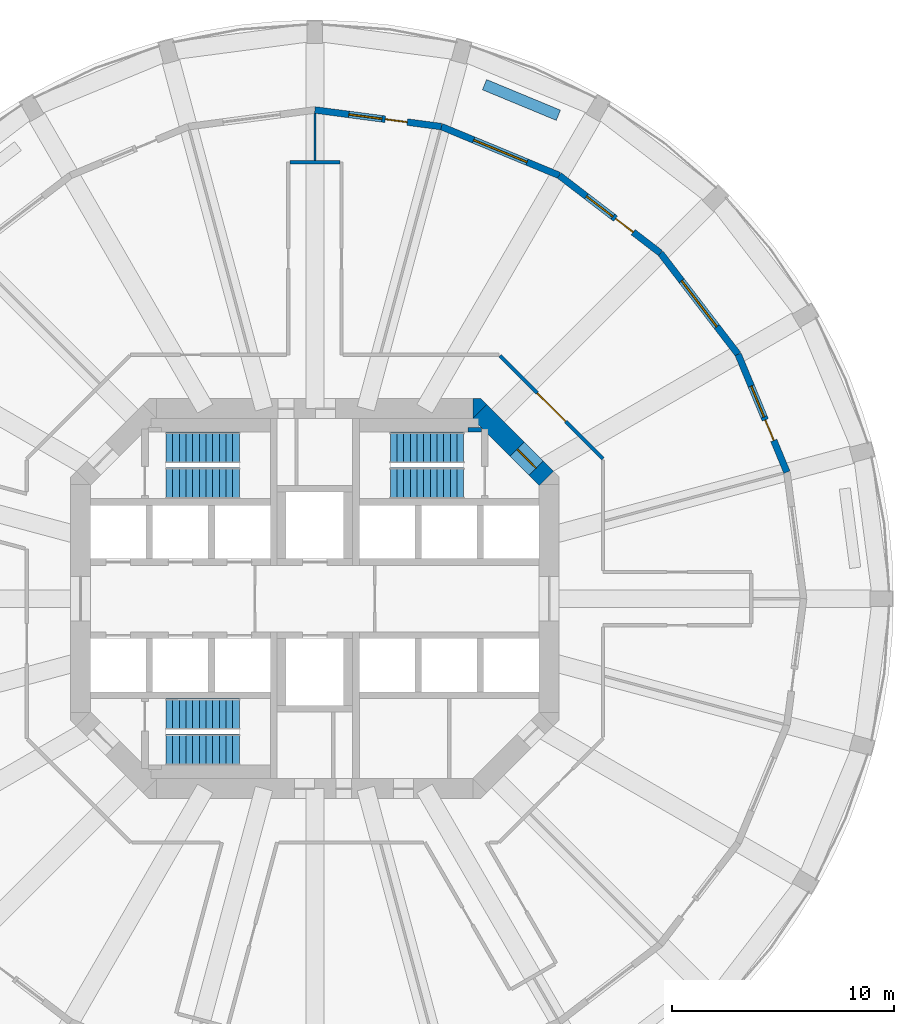
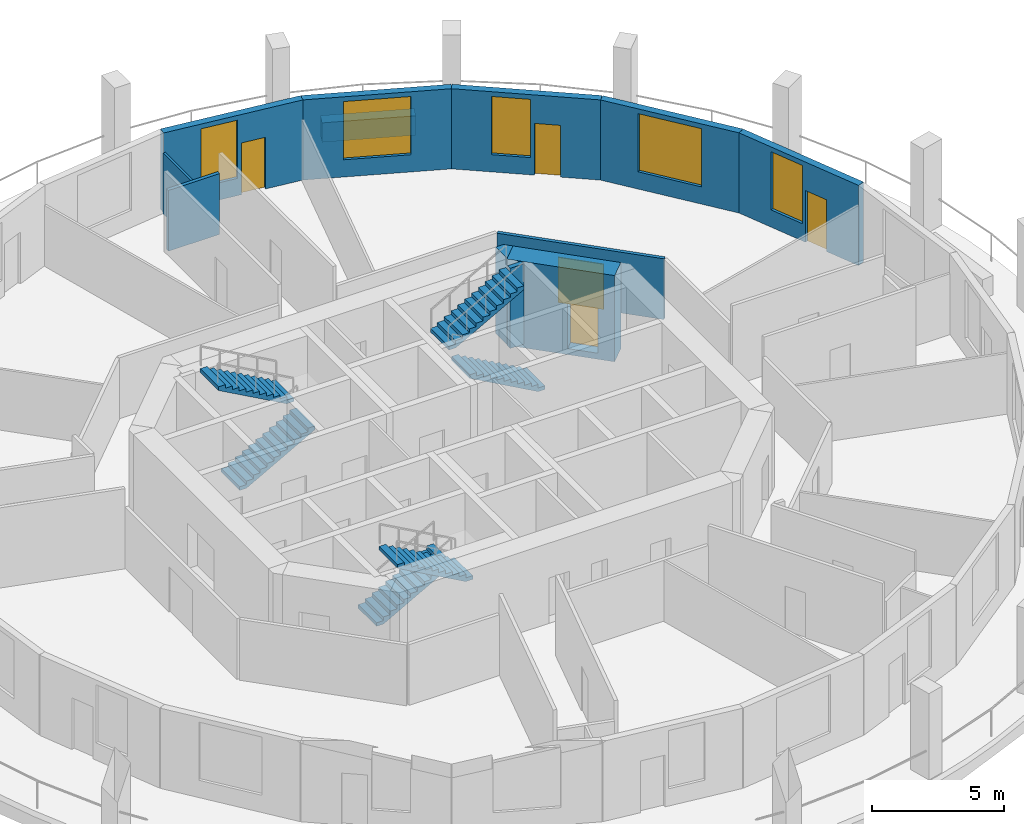
# One storey, part 6 of 8: 12 walls, 6 stair flights, 5 doors, 5 windows, 10 openings, 3 elements without a shape of their own.
"""IFC4 building model written with IfcOpenShell, lengths in metres."""

from ifc_helpers import new_model, si_unit, direction, frame, frame_2d, origin, place, context, subcontext, project, spatial, polyline, rectangle, outline, extrude, material, layer, layer_set, type_object, element, fill, aggregate, save


model = new_model("IFC4")

# Units and contexts
model_context = context("Model", 3, precision=1e-05, world=origin(), true_north=direction((0.0, 1.0)))
body_context = subcontext(model_context, "Body", "Model", "MODEL_VIEW")
ifc_project = project(units=[si_unit("LENGTHUNIT", "METRE"), si_unit("AREAUNIT", "SQUARE_METRE"), si_unit("VOLUMEUNIT", "CUBIC_METRE"), si_unit("PLANEANGLEUNIT", "RADIAN"), si_unit("MASSUNIT", "GRAM", prefix="KILO")], contexts=[model_context])

# Site, building, storey
site_placement = place(None, origin())
site = spatial("IfcSite", under=ifc_project, at=site_placement, CompositionType="ELEMENT")
building_placement = place(site_placement, origin())
building = spatial("IfcBuilding", under=site, at=building_placement, Name="Torre Triforio", CompositionType="ELEMENT")
storey_placement = place(building_placement, frame((0.0, 0.0, 90.60009765625)))
storey = spatial("IfcBuildingStorey", under=building, at=storey_placement, Name="L19", CompositionType="ELEMENT", Elevation=90.60009765625)

# Wall, opening, door
ifc_material_1 = material(Name="Concrete C60", Category="concrete")
ifc_layer_1 = layer(ifc_material_1, 0.89990234375)
ifc_layer_set_1 = layer_set([ifc_layer_1], Name="Concrete C60")
wall_type_1 = type_object("IfcWallType", Name="Core wall 900 mm C60 EI 120", PredefinedType="SHEAR", material=ifc_layer_set_1)
wall_1_placement = place(storey_placement, frame((7.418212890625, 8.418212890625, -0.280029296875), z_axis=(0.0, 0.0, 1.0), x_axis=(0.707106781187, -0.707106781187, 0.0)))
wall_1 = element("IfcWall", 1, at=wall_1_placement, inside=storey, type_object=wall_type_1, Name="Core wall", PredefinedType="SHEAR", context=body_context, shape_type="SweptSolid", body=[
    extrude(rectangle(XDim=4.24267578125, YDim=0.89990234375, at=frame_2d((2.121337890625, 0.0))), origin(), (0.0, 0.0, 1.0), 4.0),
])
opening_1_placement = place(wall_1_placement, frame((2.392578125, 0.0, 0.280029296875)))
opening_1 = element("IfcOpeningElement", 2, at=opening_1_placement, cuts=wall_1, Name="Opening ST2-EXIT", PredefinedType="OPENING", context=body_context, shape_type="SweptSolid", body=[
    extrude(rectangle(XDim=1.199951171875, YDim=2.10009765625, at=frame_2d((0.60009765625, 1.050048828125))), frame((0.0, 0.4599609375, 0.0), z_axis=(0.0, -1.0, 0.0), x_axis=(1.0, 0.0, 0.0)), (0.0, 0.0, 1.0), 0.919921875),
])
ifc_material_2 = material(Name="Hollow metal fire door leaf")
door_type_1 = type_object("IfcDoorType", Name="Stair lobby door 1200 x 2100 EI 60", OperationType="NOTDEFINED", PredefinedType="DOOR", material=ifc_material_2)
door_1_placement = place(opening_1_placement, origin())
door_1 = element("IfcDoor", 3, at=door_1_placement, inside=storey, type_object=door_type_1, Name="Core door ST2-EXIT", OperationType="SINGLE_SWING_RIGHT", OverallHeight=2.10009765625, OverallWidth=1.199951171875, PredefinedType="DOOR", context=body_context, shape_type="SweptSolid", body=[
    extrude(rectangle(XDim=1.199951171875, YDim=2.10009765625, at=frame_2d((0.60009765625, 1.050048828125))), frame((0.0, 0.02490234375, 0.0), z_axis=(0.0, -1.0, 0.0), x_axis=(1.0, 0.0, 0.0)), (0.0, 0.0, 1.0), 0.050048828125),
])
fill(opening_1, door_1)

# Walls
wall_2_placement = place(storey_placement, frame((0.0, 0.0, -0.280029296875)))
element("IfcWall", 4, at=wall_2_placement, inside=storey, type_object=wall_type_1, Name="Core wall", PredefinedType="SHEAR", context=body_context, shape_type="SweptSolid", body=[
    extrude(outline(polyline([(7.472900390625, 9.0), (7.736328125, 8.736328125), (7.1298828125, 8.1298828125), (7.1298828125, 9.0), (7.472900390625, 9.0)])), origin(), (0.0, 0.0, 1.0), 4.0),
])
ifc_material_3 = material(Name="Plasterboard on metal studs")
ifc_layer_2 = layer(ifc_material_3, 0.14990234375)
ifc_layer_set_2 = layer_set([ifc_layer_2], Name="Plasterboard on metal studs")
wall_type_2 = type_object("IfcWallType", Name="Corridor and tenancy wall 150 mm EI 60", PredefinedType="PARTITIONING", material=ifc_layer_set_2)
wall_3_placement = place(storey_placement, frame((-1.125, 19.648681640625, 0.0), z_axis=(0.0, 0.0, 1.0), x_axis=(1.0, 0.0, 0.0)))
element("IfcWall", 5, at=wall_3_placement, inside=storey, type_object=wall_type_2, Name="Partition 22", PredefinedType="PARTITIONING", context=body_context, shape_type="SweptSolid", body=[
    extrude(rectangle(XDim=2.25, YDim=0.14990234375, at=frame_2d((1.125, 0.0))), origin(), (0.0, 0.0, 1.0), 2.81982421875),
])

# Wall, opening, door
wall_4_placement = place(storey_placement, frame((8.327880859375, 10.93798828125, 0.0), z_axis=(0.0, 0.0, 1.0), x_axis=(0.707125355289, -0.707088206597, 0.0)))
wall_4 = element("IfcWall", 6, at=wall_4_placement, inside=storey, type_object=wall_type_2, Name="Partition 25", PredefinedType="PARTITIONING", context=body_context, shape_type="SweptSolid", body=[
    extrude(rectangle(XDim=6.572021484375, YDim=0.14990234375, at=frame_2d((3.2861328125, 0.0))), origin(), (0.0, 0.0, 1.0), 2.81982421875),
])
opening_2_placement = place(wall_4_placement, frame((2.385986328125, 0.0, 0.0)))
opening_2 = element("IfcOpeningElement", 7, at=opening_2_placement, cuts=wall_4, Name="Opening N6-01", PredefinedType="OPENING", context=body_context, shape_type="SweptSolid", body=[
    extrude(rectangle(XDim=1.800048828125, YDim=2.10009765625, at=frame_2d((0.89990234375, 1.050048828125))), frame((0.0, 0.0849609375, 0.0), z_axis=(0.0, -1.0, 0.0), x_axis=(1.0, 0.0, 0.0)), (0.0, 0.0, 1.0), 0.169921875),
])
ifc_material_4 = material(Name="Timber", Category="wood")
door_type_2 = type_object("IfcDoorType", Name="Door 1800 x 2100 double leaf EI 30", OperationType="DOUBLE_DOOR_SINGLE_SWING", PredefinedType="DOOR", material=ifc_material_4)
door_2_placement = place(opening_2_placement, origin())
door_2 = element("IfcDoor", 8, at=door_2_placement, inside=storey, type_object=door_type_2, Name="Door N6-01", OperationType="DOUBLE_DOOR_SINGLE_SWING", OverallHeight=2.10009765625, OverallWidth=1.800048828125, PredefinedType="DOOR", context=body_context, shape_type="SweptSolid", body=[
    extrude(rectangle(XDim=1.800048828125, YDim=2.10009765625, at=frame_2d((0.89990234375, 1.050048828125))), frame((0.0, 0.02490234375, 0.0), z_axis=(0.0, -1.0, 0.0), x_axis=(1.0, 0.0, 0.0)), (0.0, 0.0, 1.0), 0.050048828125),
])
fill(opening_2, door_2)

# Walls
ifc_layer_3 = layer(ifc_material_3, 0.10009765625)
ifc_layer_set_3 = layer_set([ifc_layer_3], Name="Plasterboard on metal studs")
wall_type_3 = type_object("IfcWallType", Name="Partition 100 mm board on metal studs", PredefinedType="PARTITIONING", material=ifc_layer_set_3)
wall_5_placement = place(storey_placement, frame((0.0, 19.7236328125, 0.0), z_axis=(0.0, 0.0, 1.0), x_axis=(0.0, 1.0, 0.0)))
element("IfcWall", 9, at=wall_5_placement, inside=storey, type_object=wall_type_3, Name="Partition 32", PredefinedType="PARTITIONING", context=body_context, shape_type="SweptSolid", body=[
    extrude(rectangle(XDim=2.113037109375, YDim=0.10009765625, at=frame_2d((1.056640625, 0.0))), origin(), (0.0, 0.0, 1.0), 2.81982421875),
])
ifc_material_5 = material(Name="Limestone cladding", Category="masonry")
ifc_layer_4 = layer(ifc_material_5, 0.10009765625)
ifc_material_6 = material(Name="Concrete C40", Category="concrete")
ifc_layer_5 = layer(ifc_material_6, 0.39990234375)
ifc_layer_set_4 = layer_set([ifc_layer_4, ifc_layer_5], Name="Limestone cladding / Concrete C40")
wall_type_4 = type_object("IfcWallType", Name="Planter wall 500", PredefinedType="PARAPET", material=ifc_layer_set_4)
wall_6_placement = place(storey_placement, frame((10.962158203125, 21.761474609375, 0.0), z_axis=(0.0, 0.0, 1.0), x_axis=(-0.923875488976, 0.382693194178, 0.0)))
element("IfcWall", 10, at=wall_6_placement, inside=storey, type_object=wall_type_4, Name="Planter L19 bay 05", PredefinedType="PARAPET", context=body_context, shape_type="SweptSolid", body=[
    extrude(rectangle(XDim=3.599853515625, YDim=0.5, at=frame_2d((1.7998046875, 0.0))), origin(), (0.0, 0.0, 1.0), 0.89990234375),
])
ifc_layer_6 = layer(ifc_material_1, 0.199951171875)
ifc_layer_set_5 = layer_set([ifc_layer_6], Name="Concrete C60")
wall_type_5 = type_object("IfcWallType", Name="Stair wall 200 mm C60 EI 120", PredefinedType="SHEAR", material=ifc_layer_set_5)
wall_7_placement = place(storey_placement, frame((6.89990234375, 7.60009765625, 0.0), z_axis=(0.0, 0.0, 1.0), x_axis=(1.0, 0.0, 0.0)))
element("IfcWall", 11, at=wall_7_placement, inside=storey, type_object=wall_type_5, Name="Stair wall", PredefinedType="SHEAR", context=body_context, shape_type="SweptSolid", body=[
    extrude(rectangle(XDim=0.60009765625, YDim=0.199951171875, at=frame_2d((0.300048828125, 0.0))), origin(), (0.0, 0.0, 1.0), 3.719970703125),
])

# Wall, openings, door, window
ifc_layer_7 = layer(ifc_material_5, 0.10009765625)
ifc_layer_8 = layer(ifc_material_6, 0.199951171875)
ifc_layer_set_6 = layer_set([ifc_layer_7, ifc_layer_8], Name="Limestone cladding / Concrete C40")
wall_type_6 = type_object("IfcWallType", Name="Stone-faced composite wall 300", PredefinedType="STANDARD", material=ifc_layer_set_6)
wall_8_placement = place(storey_placement, frame((21.25048828125, 5.694091796875, 0.0), z_axis=(0.0, 0.0, 1.0), x_axis=(-0.382715966503, 0.923866055759, 0.0)))
wall_8 = element("IfcWall", 12, at=wall_8_placement, inside=storey, type_object=wall_type_6, Name="External wall L19 bay 02", PredefinedType="STANDARD", context=body_context, shape_type="SweptSolid", body=[
    extrude(rectangle(XDim=5.7431640625, YDim=0.300048828125, at=frame_2d((2.87158203125, 0.0))), origin(), (0.0, 0.0, 1.0), 3.719970703125),
])
opening_3_placement = place(wall_8_placement, frame((1.546630859375, 0.0, 0.0)))
opening_3 = element("IfcOpeningElement", 13, at=opening_3_placement, cuts=wall_8, Name="Opening N6-D02", PredefinedType="OPENING", context=body_context, shape_type="SweptSolid", body=[
    extrude(rectangle(XDim=1.0, YDim=2.39990234375, at=frame_2d((0.5, 1.199951171875))), frame((0.0, 0.159912109375, 0.0), z_axis=(0.0, -1.0, 0.0), x_axis=(1.0, 0.0, 0.0)), (0.0, 0.0, 1.0), 0.320068359375),
])
opening_4_placement = place(wall_8_placement, frame((2.696533203125, 0.0, 0.800048828125)))
opening_4 = element("IfcOpeningElement", 14, at=opening_4_placement, cuts=wall_8, Name="Opening N6-W02A", PredefinedType="OPENING", context=body_context, shape_type="SweptSolid", body=[
    extrude(rectangle(XDim=1.5, YDim=2.699951171875, at=frame_2d((0.75, 1.35009765625))), frame((0.0, 0.159912109375, 0.0), z_axis=(0.0, -1.0, 0.0), x_axis=(1.0, 0.0, 0.0)), (0.0, 0.0, 1.0), 0.320068359375),
])
ifc_material_7 = material(Name="Aluminium frame with clear double glazing", Category="aluminium")
door_type_3 = type_object("IfcDoorType", Name="Loggia door 1000 x 2400", OperationType="NOTDEFINED", PredefinedType="DOOR", material=ifc_material_7)
door_3_placement = place(opening_3_placement, origin())
door_3 = element("IfcDoor", 15, at=door_3_placement, inside=storey, type_object=door_type_3, Name="Loggia door L19 bay 02", OperationType="SINGLE_SWING_LEFT", OverallHeight=2.39990234375, OverallWidth=1.0, PredefinedType="DOOR", context=body_context, shape_type="SweptSolid", body=[
    extrude(rectangle(XDim=1.0, YDim=2.39990234375, at=frame_2d((0.5, 1.199951171875))), frame((0.0, 0.02490234375, 0.0), z_axis=(0.0, -1.0, 0.0), x_axis=(1.0, 0.0, 0.0)), (0.0, 0.0, 1.0), 0.050048828125),
])
fill(opening_3, door_3)
window_type_1 = type_object("IfcWindowType", Name="Side window 1500 x 2700", PartitioningType="SINGLE_PANEL", PredefinedType="WINDOW", material=ifc_material_7)
window_1_placement = place(opening_4_placement, origin())
window_1 = element("IfcWindow", 16, at=window_1_placement, inside=storey, type_object=window_type_1, Name="Side window EWN12 L19 bay 02", OverallHeight=2.699951171875, OverallWidth=1.5, PartitioningType="SINGLE_PANEL", PredefinedType="WINDOW", context=body_context, shape_type="SweptSolid", body=[
    extrude(rectangle(XDim=1.5, YDim=2.699951171875, at=frame_2d((0.75, 1.35009765625))), frame((0.0, 0.030029296875, 0.0), z_axis=(0.0, -1.0, 0.0), x_axis=(1.0, 0.0, 0.0)), (0.0, 0.0, 1.0), 0.06005859375),
])
fill(opening_4, window_1)

# Wall, opening, window
wall_9_placement = place(storey_placement, frame((19.052490234375, 11.0, 0.0), z_axis=(0.0, 0.0, 1.0), x_axis=(-0.608744744291, 0.793366142647, 0.0)))
wall_9 = element("IfcWall", 17, at=wall_9_placement, inside=storey, type_object=wall_type_6, Name="External wall L19 bay 03", PredefinedType="STANDARD", context=body_context, shape_type="SweptSolid", body=[
    extrude(rectangle(XDim=5.7431640625, YDim=0.300048828125, at=frame_2d((2.87158203125, 0.0))), origin(), (0.0, 0.0, 1.0), 3.719970703125),
])
opening_5_placement = place(wall_9_placement, frame((1.571533203125, 0.0, 0.800048828125)))
opening_5 = element("IfcOpeningElement", 18, at=opening_5_placement, cuts=wall_9, Name="Opening N6-W03", PredefinedType="OPENING", context=body_context, shape_type="SweptSolid", body=[
    extrude(rectangle(XDim=2.60009765625, YDim=2.699951171875, at=frame_2d((1.300048828125, 1.35009765625))), frame((0.0, 0.159912109375, 0.0), z_axis=(0.0, -1.0, 0.0), x_axis=(1.0, 0.0, 0.0)), (0.0, 0.0, 1.0), 0.320068359375),
])
window_type_2 = type_object("IfcWindowType", Name="Punched window 2600 x 2700", PartitioningType="DOUBLE_PANEL_VERTICAL", PredefinedType="WINDOW", material=ifc_material_7)
window_2_placement = place(opening_5_placement, origin())
window_2 = element("IfcWindow", 19, at=window_2_placement, inside=storey, type_object=window_type_2, Name="Window EWN2 L19 bay 03", OverallHeight=2.699951171875, OverallWidth=2.60009765625, PartitioningType="SINGLE_PANEL", PredefinedType="WINDOW", context=body_context, shape_type="SweptSolid", body=[
    extrude(rectangle(XDim=2.60009765625, YDim=2.699951171875, at=frame_2d((1.300048828125, 1.35009765625))), frame((0.0, 0.030029296875, 0.0), z_axis=(0.0, -1.0, 0.0), x_axis=(1.0, 0.0, 0.0)), (0.0, 0.0, 1.0), 0.06005859375),
])
fill(opening_5, window_2)

# Wall, openings, door, window
wall_10_placement = place(storey_placement, frame((15.556396484375, 15.556396484375, 0.0), z_axis=(0.0, 0.0, 1.0), x_axis=(-0.793366142647, 0.608744744291, 0.0)))
wall_10 = element("IfcWall", 20, at=wall_10_placement, inside=storey, type_object=wall_type_6, Name="External wall L19 bay 04", PredefinedType="STANDARD", context=body_context, shape_type="SweptSolid", body=[
    extrude(rectangle(XDim=5.7431640625, YDim=0.300048828125, at=frame_2d((2.87158203125, 0.0))), origin(), (0.0, 0.0, 1.0), 3.719970703125),
])
opening_6_placement = place(wall_10_placement, frame((1.546630859375, 0.0, 0.0)))
opening_6 = element("IfcOpeningElement", 21, at=opening_6_placement, cuts=wall_10, Name="Opening N6-D04", PredefinedType="OPENING", context=body_context, shape_type="SweptSolid", body=[
    extrude(rectangle(XDim=1.0, YDim=2.39990234375, at=frame_2d((0.5, 1.199951171875))), frame((0.0, 0.159912109375, 0.0), z_axis=(0.0, -1.0, 0.0), x_axis=(1.0, 0.0, 0.0)), (0.0, 0.0, 1.0), 0.320068359375),
])
opening_7_placement = place(wall_10_placement, frame((2.696533203125, 0.0, 0.800048828125)))
opening_7 = element("IfcOpeningElement", 22, at=opening_7_placement, cuts=wall_10, Name="Opening N6-W04A", PredefinedType="OPENING", context=body_context, shape_type="SweptSolid", body=[
    extrude(rectangle(XDim=1.5, YDim=2.699951171875, at=frame_2d((0.75, 1.35009765625))), frame((0.0, 0.159912109375, 0.0), z_axis=(0.0, -1.0, 0.0), x_axis=(1.0, 0.0, 0.0)), (0.0, 0.0, 1.0), 0.320068359375),
])
door_4_placement = place(opening_6_placement, origin())
door_4 = element("IfcDoor", 23, at=door_4_placement, inside=storey, type_object=door_type_3, Name="Loggia door L19 bay 04", OperationType="SINGLE_SWING_LEFT", OverallHeight=2.39990234375, OverallWidth=1.0, PredefinedType="DOOR", context=body_context, shape_type="SweptSolid", body=[
    extrude(rectangle(XDim=1.0, YDim=2.39990234375, at=frame_2d((0.5, 1.199951171875))), frame((0.0, 0.02490234375, 0.0), z_axis=(0.0, -1.0, 0.0), x_axis=(1.0, 0.0, 0.0)), (0.0, 0.0, 1.0), 0.050048828125),
])
fill(opening_6, door_4)
window_3_placement = place(opening_7_placement, origin())
window_3 = element("IfcWindow", 24, at=window_3_placement, inside=storey, type_object=window_type_1, Name="Side window EWN12 L19 bay 04", OverallHeight=2.699951171875, OverallWidth=1.5, PartitioningType="SINGLE_PANEL", PredefinedType="WINDOW", context=body_context, shape_type="SweptSolid", body=[
    extrude(rectangle(XDim=1.5, YDim=2.699951171875, at=frame_2d((0.75, 1.35009765625))), frame((0.0, 0.030029296875, 0.0), z_axis=(0.0, -1.0, 0.0), x_axis=(1.0, 0.0, 0.0)), (0.0, 0.0, 1.0), 0.06005859375),
])
fill(opening_7, window_3)

# Wall, opening, window
wall_11_placement = place(storey_placement, frame((11.0, 19.052490234375, 0.0), z_axis=(0.0, 0.0, 1.0), x_axis=(-0.923866055759, 0.382715966503, 0.0)))
wall_11 = element("IfcWall", 25, at=wall_11_placement, inside=storey, type_object=wall_type_6, Name="External wall L19 bay 05", PredefinedType="STANDARD", context=body_context, shape_type="SweptSolid", body=[
    extrude(rectangle(XDim=5.7431640625, YDim=0.300048828125, at=frame_2d((2.87158203125, 0.0))), origin(), (0.0, 0.0, 1.0), 3.719970703125),
])
opening_8_placement = place(wall_11_placement, frame((1.571533203125, 0.0, 0.800048828125)))
opening_8 = element("IfcOpeningElement", 26, at=opening_8_placement, cuts=wall_11, Name="Opening N6-W05", PredefinedType="OPENING", context=body_context, shape_type="SweptSolid", body=[
    extrude(rectangle(XDim=2.60009765625, YDim=2.699951171875, at=frame_2d((1.300048828125, 1.35009765625))), frame((0.0, 0.159912109375, 0.0), z_axis=(0.0, -1.0, 0.0), x_axis=(1.0, 0.0, 0.0)), (0.0, 0.0, 1.0), 0.320068359375),
])
window_4_placement = place(opening_8_placement, origin())
window_4 = element("IfcWindow", 27, at=window_4_placement, inside=storey, type_object=window_type_2, Name="Window EWN2 L19 bay 05", OverallHeight=2.699951171875, OverallWidth=2.60009765625, PartitioningType="SINGLE_PANEL", PredefinedType="WINDOW", context=body_context, shape_type="SweptSolid", body=[
    extrude(rectangle(XDim=2.60009765625, YDim=2.699951171875, at=frame_2d((1.300048828125, 1.35009765625))), frame((0.0, 0.030029296875, 0.0), z_axis=(0.0, -1.0, 0.0), x_axis=(1.0, 0.0, 0.0)), (0.0, 0.0, 1.0), 0.06005859375),
])
fill(opening_8, window_4)

# Wall, openings, door, window
wall_12_placement = place(storey_placement, frame((5.694091796875, 21.25048828125, 0.0), z_axis=(0.0, 0.0, 1.0), x_axis=(-0.991447783331, 0.130503995834, 0.0)))
wall_12 = element("IfcWall", 28, at=wall_12_placement, inside=storey, type_object=wall_type_6, Name="External wall L19 bay 06", PredefinedType="STANDARD", context=body_context, shape_type="SweptSolid", body=[
    extrude(rectangle(XDim=5.7431640625, YDim=0.300048828125, at=frame_2d((2.87158203125, 0.0))), origin(), (0.0, 0.0, 1.0), 3.719970703125),
])
opening_9_placement = place(wall_12_placement, frame((1.546630859375, 0.0, 0.0)))
opening_9 = element("IfcOpeningElement", 29, at=opening_9_placement, cuts=wall_12, Name="Opening N6-D06", PredefinedType="OPENING", context=body_context, shape_type="SweptSolid", body=[
    extrude(rectangle(XDim=1.0, YDim=2.39990234375, at=frame_2d((0.5, 1.199951171875))), frame((0.0, 0.159912109375, 0.0), z_axis=(0.0, -1.0, 0.0), x_axis=(1.0, 0.0, 0.0)), (0.0, 0.0, 1.0), 0.320068359375),
])
opening_10_placement = place(wall_12_placement, frame((2.696533203125, 0.0, 0.800048828125)))
opening_10 = element("IfcOpeningElement", 30, at=opening_10_placement, cuts=wall_12, Name="Opening N6-W06A", PredefinedType="OPENING", context=body_context, shape_type="SweptSolid", body=[
    extrude(rectangle(XDim=1.5, YDim=2.699951171875, at=frame_2d((0.75, 1.35009765625))), frame((0.0, 0.159912109375, 0.0), z_axis=(0.0, -1.0, 0.0), x_axis=(1.0, 0.0, 0.0)), (0.0, 0.0, 1.0), 0.320068359375),
])
door_5_placement = place(opening_9_placement, origin())
door_5 = element("IfcDoor", 31, at=door_5_placement, inside=storey, type_object=door_type_3, Name="Loggia door L19 bay 06", OperationType="SINGLE_SWING_LEFT", OverallHeight=2.39990234375, OverallWidth=1.0, PredefinedType="DOOR", context=body_context, shape_type="SweptSolid", body=[
    extrude(rectangle(XDim=1.0, YDim=2.39990234375, at=frame_2d((0.5, 1.199951171875))), frame((0.0, 0.02490234375, 0.0), z_axis=(0.0, -1.0, 0.0), x_axis=(1.0, 0.0, 0.0)), (0.0, 0.0, 1.0), 0.050048828125),
])
fill(opening_9, door_5)
window_5_placement = place(opening_10_placement, origin())
window_5 = element("IfcWindow", 32, at=window_5_placement, inside=storey, type_object=window_type_1, Name="Side window EWN12 L19 bay 06", OverallHeight=2.699951171875, OverallWidth=1.5, PartitioningType="SINGLE_PANEL", PredefinedType="WINDOW", context=body_context, shape_type="SweptSolid", body=[
    extrude(rectangle(XDim=1.5, YDim=2.699951171875, at=frame_2d((0.75, 1.35009765625))), frame((0.0, 0.030029296875, 0.0), z_axis=(0.0, -1.0, 0.0), x_axis=(1.0, 0.0, 0.0)), (0.0, 0.0, 1.0), 0.06005859375),
])
fill(opening_10, window_5)

# Stair, stair flights
stair_type = type_object("IfcStairType", Name="STAIR HALF-TURN", PredefinedType="HALF_TURN_STAIR", material=ifc_material_6)
stair_1_placement = place(storey_placement, origin())
stair_1 = element("IfcStair", 33, at=stair_1_placement, inside=storey, type_object=stair_type, Name="Exit stair 1", PredefinedType="HALF_TURN_STAIR")
stair_flight_type = type_object("IfcStairFlightType", Name="STAIR FLIGHT 1400", PredefinedType="STRAIGHT", material=ifc_material_6)
stair_flight_1_placement = place(storey_placement, frame((-6.699951171875, 5.199951171875, 0.0), z_axis=(0.0, 0.0, 1.0), x_axis=(1.0, 0.0, 0.0)))
stair_flight_1 = element("IfcStairFlight", 34, at=stair_flight_1_placement, type_object=stair_flight_type, Name="ST1 flight 1", NumberOfRisers=12, NumberOfTreads=11, PredefinedType="STRAIGHT", RiserHeight=0.166666667, TreadLength=0.3, context=body_context, shape_type="SweptSolid", body=[
    extrude(outline(polyline([(0.0, 0.0), (0.0, 0.166748046875), (0.300048828125, 0.166748046875), (0.300048828125, 0.333251953125), (0.60009765625, 0.333251953125), (0.60009765625, 0.5), (0.89990234375, 0.5), (0.89990234375, 0.666748046875), (1.199951171875, 0.666748046875), (1.199951171875, 0.833251953125), (1.5, 0.833251953125), (1.5, 1.0), (1.800048828125, 1.0), (1.800048828125, 1.166748046875), (2.10009765625, 1.166748046875), (2.10009765625, 1.333251953125), (2.39990234375, 1.333251953125), (2.39990234375, 1.5), (2.699951171875, 1.5), (2.699951171875, 1.666748046875), (3.0, 1.666748046875), (3.0, 1.833251953125), (3.300048828125, 1.833251953125), (3.300048828125, 2.0), (3.300048828125, 1.661865234375), (0.30859375, 0.0), (0.0, 0.0)])), frame((0.0, 0.699951171875, 0.0), z_axis=(0.0, -1.0, 0.0), x_axis=(1.0, 0.0, 0.0)), (0.0, 0.0, 1.0), 1.39990234375),
])
stair_flight_2_placement = place(storey_placement, frame((-3.39990234375, 6.800048828125, 2.0), z_axis=(0.0, 0.0, 1.0), x_axis=(-1.0, 0.0, 0.0)))
stair_flight_2 = element("IfcStairFlight", 35, at=stair_flight_2_placement, type_object=stair_flight_type, Name="ST1 flight 2", NumberOfRisers=12, NumberOfTreads=11, PredefinedType="STRAIGHT", RiserHeight=0.166666667, TreadLength=0.3, context=body_context, shape_type="SweptSolid", body=[
    extrude(outline(polyline([(0.0, 0.0), (0.0, 0.166748046875), (0.300048828125, 0.166748046875), (0.300048828125, 0.333251953125), (0.60009765625, 0.333251953125), (0.60009765625, 0.5), (0.89990234375, 0.5), (0.89990234375, 0.666748046875), (1.199951171875, 0.666748046875), (1.199951171875, 0.833251953125), (1.5, 0.833251953125), (1.5, 1.0), (1.800048828125, 1.0), (1.800048828125, 1.166748046875), (2.10009765625, 1.166748046875), (2.10009765625, 1.333251953125), (2.39990234375, 1.333251953125), (2.39990234375, 1.5), (2.699951171875, 1.5), (2.699951171875, 1.666748046875), (3.0, 1.666748046875), (3.0, 1.833251953125), (3.300048828125, 1.833251953125), (3.300048828125, 2.0), (3.300048828125, 1.661865234375), (0.30859375, 0.0), (0.0, 0.0)])), frame((0.0, 0.699951171875, 0.0), z_axis=(0.0, -1.0, 0.0), x_axis=(1.0, 0.0, 0.0)), (0.0, 0.0, 1.0), 1.39990234375),
])
aggregate(stair_1, [stair_flight_1, stair_flight_2])

stair_2_placement = place(storey_placement, origin())
stair_2 = element("IfcStair", 36, at=stair_2_placement, inside=storey, type_object=stair_type, Name="Exit stair 2", PredefinedType="HALF_TURN_STAIR")
stair_flight_3_placement = place(storey_placement, frame((6.699951171875, 5.199951171875, 0.0), z_axis=(0.0, 0.0, 1.0), x_axis=(-1.0, 0.0, 0.0)))
stair_flight_3 = element("IfcStairFlight", 37, at=stair_flight_3_placement, type_object=stair_flight_type, Name="ST2 flight 1", NumberOfRisers=12, NumberOfTreads=11, PredefinedType="STRAIGHT", RiserHeight=0.166666667, TreadLength=0.3, context=body_context, shape_type="SweptSolid", body=[
    extrude(outline(polyline([(0.0, 0.0), (0.0, 0.166748046875), (0.300048828125, 0.166748046875), (0.300048828125, 0.333251953125), (0.60009765625, 0.333251953125), (0.60009765625, 0.5), (0.89990234375, 0.5), (0.89990234375, 0.666748046875), (1.199951171875, 0.666748046875), (1.199951171875, 0.833251953125), (1.5, 0.833251953125), (1.5, 1.0), (1.800048828125, 1.0), (1.800048828125, 1.166748046875), (2.10009765625, 1.166748046875), (2.10009765625, 1.333251953125), (2.39990234375, 1.333251953125), (2.39990234375, 1.5), (2.699951171875, 1.5), (2.699951171875, 1.666748046875), (3.0, 1.666748046875), (3.0, 1.833251953125), (3.300048828125, 1.833251953125), (3.300048828125, 2.0), (3.300048828125, 1.661865234375), (0.30859375, 0.0), (0.0, 0.0)])), frame((0.0, 0.699951171875, 0.0), z_axis=(0.0, -1.0, 0.0), x_axis=(1.0, 0.0, 0.0)), (0.0, 0.0, 1.0), 1.39990234375),
])
stair_flight_4_placement = place(storey_placement, frame((3.39990234375, 6.800048828125, 2.0), z_axis=(0.0, 0.0, 1.0), x_axis=(1.0, 0.0, 0.0)))
stair_flight_4 = element("IfcStairFlight", 38, at=stair_flight_4_placement, type_object=stair_flight_type, Name="ST2 flight 2", NumberOfRisers=12, NumberOfTreads=11, PredefinedType="STRAIGHT", RiserHeight=0.166666667, TreadLength=0.3, context=body_context, shape_type="SweptSolid", body=[
    extrude(outline(polyline([(0.0, 0.0), (0.0, 0.166748046875), (0.300048828125, 0.166748046875), (0.300048828125, 0.333251953125), (0.60009765625, 0.333251953125), (0.60009765625, 0.5), (0.89990234375, 0.5), (0.89990234375, 0.666748046875), (1.199951171875, 0.666748046875), (1.199951171875, 0.833251953125), (1.5, 0.833251953125), (1.5, 1.0), (1.800048828125, 1.0), (1.800048828125, 1.166748046875), (2.10009765625, 1.166748046875), (2.10009765625, 1.333251953125), (2.39990234375, 1.333251953125), (2.39990234375, 1.5), (2.699951171875, 1.5), (2.699951171875, 1.666748046875), (3.0, 1.666748046875), (3.0, 1.833251953125), (3.300048828125, 1.833251953125), (3.300048828125, 2.0), (3.300048828125, 1.661865234375), (0.30859375, 0.0), (0.0, 0.0)])), frame((0.0, 0.699951171875, 0.0), z_axis=(0.0, -1.0, 0.0), x_axis=(1.0, 0.0, 0.0)), (0.0, 0.0, 1.0), 1.39990234375),
])
aggregate(stair_2, [stair_flight_3, stair_flight_4])

stair_3_placement = place(storey_placement, origin())
stair_3 = element("IfcStair", 39, at=stair_3_placement, inside=storey, type_object=stair_type, Name="Exit stair 3", PredefinedType="HALF_TURN_STAIR")
stair_flight_5_placement = place(storey_placement, frame((-6.699951171875, -5.199951171875, 0.0), z_axis=(0.0, 0.0, 1.0), x_axis=(1.0, 0.0, 0.0)))
stair_flight_5 = element("IfcStairFlight", 40, at=stair_flight_5_placement, type_object=stair_flight_type, Name="ST3 flight 1", NumberOfRisers=12, NumberOfTreads=11, PredefinedType="STRAIGHT", RiserHeight=0.166666667, TreadLength=0.3, context=body_context, shape_type="SweptSolid", body=[
    extrude(outline(polyline([(0.0, 0.0), (0.0, 0.166748046875), (0.300048828125, 0.166748046875), (0.300048828125, 0.333251953125), (0.60009765625, 0.333251953125), (0.60009765625, 0.5), (0.89990234375, 0.5), (0.89990234375, 0.666748046875), (1.199951171875, 0.666748046875), (1.199951171875, 0.833251953125), (1.5, 0.833251953125), (1.5, 1.0), (1.800048828125, 1.0), (1.800048828125, 1.166748046875), (2.10009765625, 1.166748046875), (2.10009765625, 1.333251953125), (2.39990234375, 1.333251953125), (2.39990234375, 1.5), (2.699951171875, 1.5), (2.699951171875, 1.666748046875), (3.0, 1.666748046875), (3.0, 1.833251953125), (3.300048828125, 1.833251953125), (3.300048828125, 2.0), (3.300048828125, 1.661865234375), (0.30859375, 0.0), (0.0, 0.0)])), frame((0.0, 0.699951171875, 0.0), z_axis=(0.0, -1.0, 0.0), x_axis=(1.0, 0.0, 0.0)), (0.0, 0.0, 1.0), 1.39990234375),
])
stair_flight_6_placement = place(storey_placement, frame((-3.39990234375, -6.800048828125, 2.0), z_axis=(0.0, 0.0, 1.0), x_axis=(-1.0, 0.0, 0.0)))
stair_flight_6 = element("IfcStairFlight", 41, at=stair_flight_6_placement, type_object=stair_flight_type, Name="ST3 flight 2", NumberOfRisers=12, NumberOfTreads=11, PredefinedType="STRAIGHT", RiserHeight=0.166666667, TreadLength=0.3, context=body_context, shape_type="SweptSolid", body=[
    extrude(outline(polyline([(0.0, 0.0), (0.0, 0.166748046875), (0.300048828125, 0.166748046875), (0.300048828125, 0.333251953125), (0.60009765625, 0.333251953125), (0.60009765625, 0.5), (0.89990234375, 0.5), (0.89990234375, 0.666748046875), (1.199951171875, 0.666748046875), (1.199951171875, 0.833251953125), (1.5, 0.833251953125), (1.5, 1.0), (1.800048828125, 1.0), (1.800048828125, 1.166748046875), (2.10009765625, 1.166748046875), (2.10009765625, 1.333251953125), (2.39990234375, 1.333251953125), (2.39990234375, 1.5), (2.699951171875, 1.5), (2.699951171875, 1.666748046875), (3.0, 1.666748046875), (3.0, 1.833251953125), (3.300048828125, 1.833251953125), (3.300048828125, 2.0), (3.300048828125, 1.661865234375), (0.30859375, 0.0), (0.0, 0.0)])), frame((0.0, 0.699951171875, 0.0), z_axis=(0.0, -1.0, 0.0), x_axis=(1.0, 0.0, 0.0)), (0.0, 0.0, 1.0), 1.39990234375),
])
aggregate(stair_3, [stair_flight_5, stair_flight_6])

save(model, "model.ifc")
